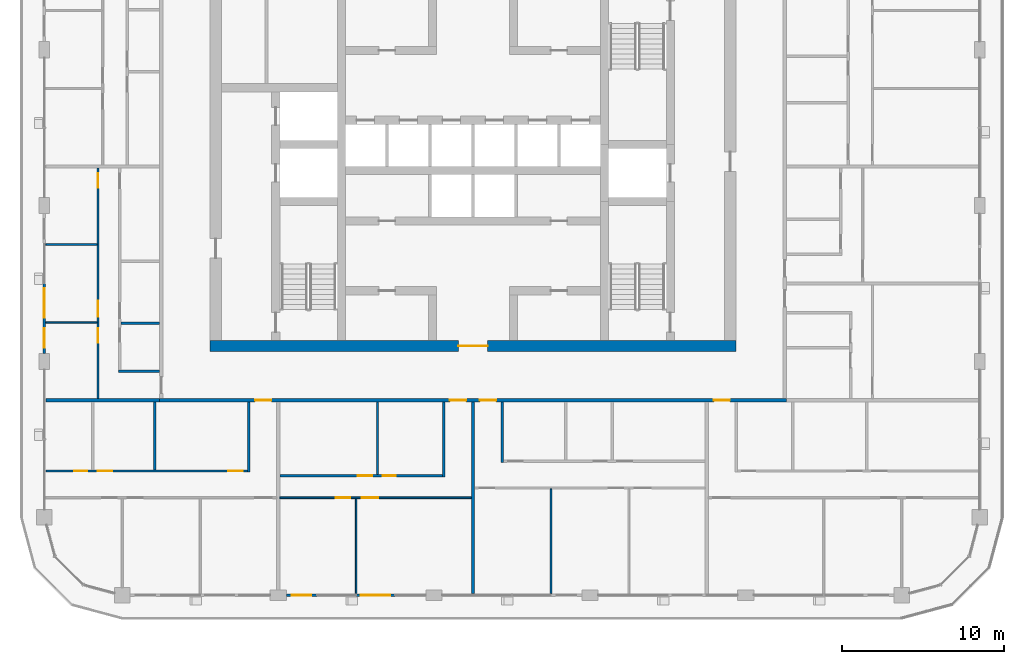
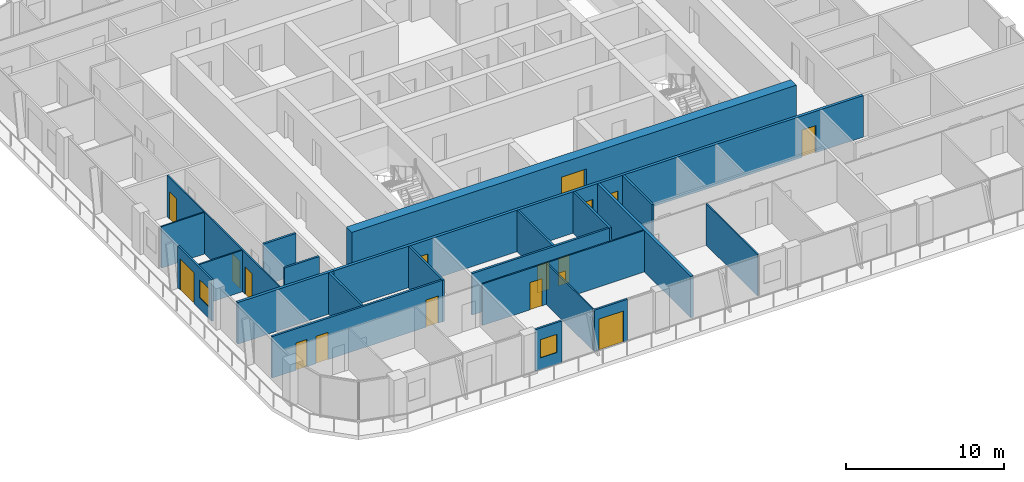
# One storey, part 9 of 21: 22 walls, 17 doors, 2 windows, 19 openings.
"""IFC4 building model written with IfcOpenShell, lengths in metres."""

from ifc_helpers import new_model, si_unit, direction, frame, frame_2d, origin, place, context, subcontext, project, spatial, rectangle, extrude, material, layer, layer_set, type_object, element, fill, save


model = new_model("IFC4")

# Units and contexts
model_context = context("Model", 3, precision=1e-05, world=origin(), true_north=direction((0.0, 1.0)))
body_context = subcontext(model_context, "Body", "Model", "MODEL_VIEW")
ifc_project = project(units=[si_unit("LENGTHUNIT", "METRE"), si_unit("AREAUNIT", "SQUARE_METRE"), si_unit("VOLUMEUNIT", "CUBIC_METRE"), si_unit("PLANEANGLEUNIT", "RADIAN"), si_unit("MASSUNIT", "GRAM", prefix="KILO")], contexts=[model_context])

# Site, building, storey
site_placement = place(None, origin())
site = spatial("IfcSite", under=ifc_project, at=site_placement, CompositionType="ELEMENT")
building_placement = place(site_placement, origin())
building = spatial("IfcBuilding", under=site, at=building_placement, Name="Madar Terraces", CompositionType="ELEMENT")
storey_placement = place(building_placement, frame((0.0, 0.0, 196.39990234375)))
storey = spatial("IfcBuildingStorey", under=building, at=storey_placement, Name="L51", CompositionType="ELEMENT", Elevation=196.39990234375)

# Wall, opening, door
ifc_material_1 = material(Name="Concrete C60/75", Category="concrete")
ifc_layer_1 = layer(ifc_material_1, 0.699951171875)
ifc_layer_set_1 = layer_set([ifc_layer_1], Name="Concrete C60/75 (CRW4 RC wall 700)")
wall_type_1 = type_object("IfcWallType", Name="CRW4 RC wall 700", PredefinedType="SHEAR", material=ifc_layer_set_1)
wall_1_placement = place(storey_placement, frame((15.0, 15.35009765625, 0.0), z_axis=(0.0, 0.0, 1.0), x_axis=(1.0, 0.0, 0.0)))
wall_1 = element("IfcWall", 1, at=wall_1_placement, inside=storey, type_object=wall_type_1, Name="CORE OUTER WALL", PredefinedType="SHEAR", context=body_context, shape_type="SweptSolid", body=[
    extrude(rectangle(XDim=32.39990234375, YDim=0.699951171875, at=frame_2d((16.199951171875, 0.0))), origin(), (0.0, 0.0, 1.0), 3.2001953125),
])
opening_1_placement = place(wall_1_placement, frame((15.300048828125, 0.0, 0.0)))
opening_1 = element("IfcOpeningElement", 2, at=opening_1_placement, cuts=wall_1, Name="Opening KD1", PredefinedType="OPENING", context=body_context, shape_type="SweptSolid", body=[
    extrude(rectangle(XDim=1.800048828125, YDim=2.10009765625, at=frame_2d((0.89990234375, 1.050048828125))), frame((0.0, 0.35986328125, 0.0), z_axis=(0.0, -1.0, 0.0), x_axis=(1.0, 0.0, 0.0)), (0.0, 0.0, 1.0), 0.719970703125),
])
ifc_material_2 = material(Name="Steel door leaf", Category="steel")
door_type_1 = type_object("IfcDoorType", Name="Lobby door pair 1800 x 2100", OperationType="DOUBLE_DOOR_SINGLE_SWING", PredefinedType="DOOR", material=ifc_material_2)
door_1_placement = place(opening_1_placement, frame((1.800048828125, 0.0, 0.0), z_axis=(0.0, 0.0, 1.0), x_axis=(-1.0, 0.0, 0.0)))
door_1 = element("IfcDoor", 3, at=door_1_placement, inside=storey, type_object=door_type_1, Name="LIFT LOBBY DOOR", OperationType="DOUBLE_DOOR_SINGLE_SWING", OverallHeight=2.10009765625, OverallWidth=1.800048828125, PredefinedType="DOOR", context=body_context, shape_type="SweptSolid", body=[
    extrude(rectangle(XDim=1.800048828125, YDim=2.10009765625, at=frame_2d((0.89990234375, 1.050048828125))), frame((0.0, 0.02490234375, 0.0), z_axis=(0.0, -1.0, 0.0), x_axis=(1.0, 0.0, 0.0)), (0.0, 0.0, 1.0), 0.050048828125),
])
fill(opening_1, door_1)

# Wall, opening, window
ifc_material_3 = material(Name="Aluminium composite panel, black, over insulated backing", Category="aluminium")
ifc_layer_2 = layer(ifc_material_3, 0.14990234375)
ifc_layer_set_2 = layer_set([ifc_layer_2], Name="Facade bay panel 150")
wall_type_2 = type_object("IfcWallType", Name="Facade bay panel 150", PredefinedType="SOLIDWALL", material=ifc_layer_set_2)
wall_2_placement = place(storey_placement, frame((19.699951171875, 0.0, 0.0), z_axis=(0.0, 0.0, 1.0), x_axis=(1.0, 0.0, 0.0)))
wall_2 = element("IfcWall", 4, at=wall_2_placement, inside=storey, type_object=wall_type_2, Name="Facade bay panel", PredefinedType="SOLIDWALL", context=body_context, shape_type="SweptSolid", body=[
    extrude(rectangle(XDim=1.900146484375, YDim=0.14990234375, at=frame_2d((0.9501953125, 0.0))), origin(), (0.0, 0.0, 1.0), 3.2001953125),
])
opening_2_placement = place(wall_2_placement, frame((0.35009765625, 0.0, 0.89990234375)))
opening_2 = element("IfcOpeningElement", 5, at=opening_2_placement, cuts=wall_2, Name="Opening W1", PredefinedType="OPENING", context=body_context, shape_type="SweptSolid", body=[
    extrude(rectangle(XDim=1.199951171875, YDim=1.39990234375, at=frame_2d((0.60009765625, 0.699951171875))), frame((0.0, 0.0849609375, 0.0), z_axis=(0.0, -1.0, 0.0), x_axis=(1.0, 0.0, 0.0)), (0.0, 0.0, 1.0), 0.169921875),
])
ifc_material_4 = material(Name="Glass, clear, with black aluminium frame", Category="aluminium")
window_type = type_object("IfcWindowType", Name="Vent window 1200 x 1400", PartitioningType="SINGLE_PANEL", PredefinedType="WINDOW", material=ifc_material_4)
window_1_placement = place(opening_2_placement, origin())
window_1 = element("IfcWindow", 6, at=window_1_placement, inside=storey, type_object=window_type, Name="Operable vent window", OverallHeight=1.39990234375, OverallWidth=1.199951171875, PartitioningType="SINGLE_PANEL", PredefinedType="WINDOW", context=body_context, shape_type="SweptSolid", body=[
    extrude(rectangle(XDim=1.199951171875, YDim=1.39990234375, at=frame_2d((0.60009765625, 0.699951171875))), frame((0.0, 0.030029296875, 0.0), z_axis=(0.0, -1.0, 0.0), x_axis=(1.0, 0.0, 0.0)), (0.0, 0.0, 1.0), 0.06005859375),
])
fill(opening_2, window_1)

# Wall, opening, door
wall_3_placement = place(storey_placement, frame((24.0, 0.0, 0.0), z_axis=(0.0, 0.0, 1.0), x_axis=(1.0, 0.0, 0.0)))
wall_3 = element("IfcWall", 7, at=wall_3_placement, inside=storey, type_object=wall_type_2, Name="Facade bay panel", PredefinedType="SOLIDWALL", context=body_context, shape_type="SweptSolid", body=[
    extrude(rectangle(XDim=2.39990234375, YDim=0.14990234375, at=frame_2d((1.199951171875, 0.0))), origin(), (0.0, 0.0, 1.0), 3.2001953125),
])
opening_3_placement = place(wall_3_placement, frame((0.300048828125, 0.0, 0.0)))
opening_3 = element("IfcOpeningElement", 8, at=opening_3_placement, cuts=wall_3, Name="Opening ED1", PredefinedType="OPENING", context=body_context, shape_type="SweptSolid", body=[
    extrude(rectangle(XDim=1.800048828125, YDim=2.39990234375, at=frame_2d((0.89990234375, 1.199951171875))), frame((0.0, 0.0849609375, 0.0), z_axis=(0.0, -1.0, 0.0), x_axis=(1.0, 0.0, 0.0)), (0.0, 0.0, 1.0), 0.169921875),
])
ifc_material_5 = material(Name="Glass, clear, with black aluminium frame", Category="aluminium")
door_type_2 = type_object("IfcDoorType", Name="Balcony and terrace sliding door 1800 x 2400", OperationType="SLIDING_TO_LEFT", PredefinedType="DOOR", material=ifc_material_5)
door_2_placement = place(opening_3_placement, origin())
door_2 = element("IfcDoor", 9, at=door_2_placement, inside=storey, type_object=door_type_2, Name="Balcony door", OperationType="SLIDING_TO_RIGHT", OverallHeight=2.39990234375, OverallWidth=1.800048828125, PredefinedType="DOOR", context=body_context, shape_type="SweptSolid", body=[
    extrude(rectangle(XDim=1.800048828125, YDim=2.39990234375, at=frame_2d((0.89990234375, 1.199951171875))), frame((0.0, 0.02490234375, 0.0), z_axis=(0.0, -1.0, 0.0), x_axis=(1.0, 0.0, 0.0)), (0.0, 0.0, 1.0), 0.050048828125),
])
fill(opening_3, door_2)

# Wall, openings, door, window
wall_4_placement = place(storey_placement, frame((4.800048828125, 19.199951171875, 0.0), z_axis=(0.0, 0.0, 1.0), x_axis=(0.0, -1.0, 0.0)))
wall_4 = element("IfcWall", 10, at=wall_4_placement, inside=storey, type_object=wall_type_2, Name="Facade bay panel", PredefinedType="SOLIDWALL", context=body_context, shape_type="SweptSolid", body=[
    extrude(rectangle(XDim=4.300048828125, YDim=0.14990234375, at=frame_2d((2.14990234375, 0.0))), origin(), (0.0, 0.0, 1.0), 3.2001953125),
])
opening_4_placement = place(wall_4_placement, frame((0.300048828125, 0.0, 0.0)))
opening_4 = element("IfcOpeningElement", 11, at=opening_4_placement, cuts=wall_4, Name="Opening ED1", PredefinedType="OPENING", context=body_context, shape_type="SweptSolid", body=[
    extrude(rectangle(XDim=1.800048828125, YDim=2.39990234375, at=frame_2d((0.89990234375, 1.199951171875))), frame((0.0, 0.0849609375, 0.0), z_axis=(0.0, -1.0, 0.0), x_axis=(1.0, 0.0, 0.0)), (0.0, 0.0, 1.0), 0.169921875),
])
opening_5_placement = place(wall_4_placement, frame((2.75, 0.0, 0.89990234375)))
opening_5 = element("IfcOpeningElement", 12, at=opening_5_placement, cuts=wall_4, Name="Opening W1", PredefinedType="OPENING", context=body_context, shape_type="SweptSolid", body=[
    extrude(rectangle(XDim=1.199951171875, YDim=1.39990234375, at=frame_2d((0.60009765625, 0.699951171875))), frame((0.0, 0.0849609375, 0.0), z_axis=(0.0, -1.0, 0.0), x_axis=(1.0, 0.0, 0.0)), (0.0, 0.0, 1.0), 0.169921875),
])
door_3_placement = place(opening_4_placement, origin())
door_3 = element("IfcDoor", 13, at=door_3_placement, inside=storey, type_object=door_type_2, Name="Balcony door", OperationType="SLIDING_TO_LEFT", OverallHeight=2.39990234375, OverallWidth=1.800048828125, PredefinedType="DOOR", context=body_context, shape_type="SweptSolid", body=[
    extrude(rectangle(XDim=1.800048828125, YDim=2.39990234375, at=frame_2d((0.89990234375, 1.199951171875))), frame((0.0, 0.02490234375, 0.0), z_axis=(0.0, -1.0, 0.0), x_axis=(1.0, 0.0, 0.0)), (0.0, 0.0, 1.0), 0.050048828125),
])
fill(opening_4, door_3)
window_2_placement = place(opening_5_placement, origin())
window_2 = element("IfcWindow", 14, at=window_2_placement, inside=storey, type_object=window_type, Name="Operable vent window", OverallHeight=1.39990234375, OverallWidth=1.199951171875, PartitioningType="SINGLE_PANEL", PredefinedType="WINDOW", context=body_context, shape_type="SweptSolid", body=[
    extrude(rectangle(XDim=1.199951171875, YDim=1.39990234375, at=frame_2d((0.60009765625, 0.699951171875))), frame((0.0, 0.030029296875, 0.0), z_axis=(0.0, -1.0, 0.0), x_axis=(1.0, 0.0, 0.0)), (0.0, 0.0, 1.0), 0.06005859375),
])
fill(opening_5, window_2)

# Wall
ifc_material_6 = material(Name="Gypsum board on steel studs", Category="steel")
ifc_layer_3 = layer(ifc_material_6, 0.10009765625)
ifc_layer_set_3 = layer_set([ifc_layer_3], Name="Flat partition 100")
wall_type_3 = type_object("IfcWallType", Name="Flat partition 100", PredefinedType="PARTITIONING", material=ifc_layer_set_3)
wall_5_placement = place(storey_placement, frame((24.0, 5.949951171875, 0.0), z_axis=(0.0, 0.0, 1.0), x_axis=(0.0, -1.0, 0.0)))
element("IfcWall", 15, at=wall_5_placement, inside=storey, type_object=wall_type_3, Name="Flat partition 100", PredefinedType="PARTITIONING", context=body_context, shape_type="SweptSolid", body=[
    extrude(rectangle(XDim=5.849853515625, YDim=0.10009765625, at=frame_2d((2.9248046875, 0.0))), origin(), (0.0, 0.0, 1.0), 3.2001953125),
])

# Wall, openings, doors
wall_6_placement = place(storey_placement, frame((31.10009765625, 6.0, 0.0), z_axis=(0.0, 0.0, 1.0), x_axis=(-1.0, 0.0, 0.0)))
wall_6 = element("IfcWall", 16, at=wall_6_placement, inside=storey, type_object=wall_type_3, Name="Flat partition 100", PredefinedType="PARTITIONING", context=body_context, shape_type="SweptSolid", body=[
    extrude(rectangle(XDim=11.800048828125, YDim=0.10009765625, at=frame_2d((5.89990234375, 0.0))), origin(), (0.0, 0.0, 1.0), 3.2001953125),
])
opening_6_placement = place(wall_6_placement, frame((5.75, 0.0, 0.0)))
opening_6 = element("IfcOpeningElement", 17, at=opening_6_placement, cuts=wall_6, Name="Opening D3", PredefinedType="OPENING", context=body_context, shape_type="SweptSolid", body=[
    extrude(rectangle(XDim=1.0, YDim=2.10009765625, at=frame_2d((0.5, 1.050048828125))), frame((0.0, 0.06005859375, 0.0), z_axis=(0.0, -1.0, 0.0), x_axis=(1.0, 0.0, 0.0)), (0.0, 0.0, 1.0), 0.1201171875),
])
opening_7_placement = place(wall_6_placement, frame((7.449951171875, 0.0, 0.0)))
opening_7 = element("IfcOpeningElement", 18, at=opening_7_placement, cuts=wall_6, Name="Opening D2", PredefinedType="OPENING", context=body_context, shape_type="SweptSolid", body=[
    extrude(rectangle(XDim=0.89990234375, YDim=2.10009765625, at=frame_2d((0.449951171875, 1.050048828125))), frame((0.0, 0.06005859375, 0.0), z_axis=(0.0, -1.0, 0.0), x_axis=(1.0, 0.0, 0.0)), (0.0, 0.0, 1.0), 0.1201171875),
])
ifc_material_7 = material(Name="Timber door leaf", Category="wood")
door_type_3 = type_object("IfcDoorType", Name="Flat living room door 1000", OperationType="NOTDEFINED", PredefinedType="DOOR", material=ifc_material_7)
door_4_placement = place(opening_6_placement, origin())
door_4 = element("IfcDoor", 19, at=door_4_placement, inside=storey, type_object=door_type_3, Name="Flat living room door 1000", OperationType="SINGLE_SWING_RIGHT", OverallHeight=2.10009765625, OverallWidth=1.0, PredefinedType="DOOR", context=body_context, shape_type="SweptSolid", body=[
    extrude(rectangle(XDim=1.0, YDim=2.10009765625, at=frame_2d((0.5, 1.050048828125))), frame((0.0, 0.02490234375, 0.0), z_axis=(0.0, -1.0, 0.0), x_axis=(1.0, 0.0, 0.0)), (0.0, 0.0, 1.0), 0.050048828125),
])
fill(opening_6, door_4)
ifc_material_8 = material(Name="Timber door leaf", Category="wood")
door_type_4 = type_object("IfcDoorType", Name="Flat room door 900", OperationType="NOTDEFINED", PredefinedType="DOOR", material=ifc_material_8)
door_5_placement = place(opening_7_placement, origin())
door_5 = element("IfcDoor", 20, at=door_5_placement, inside=storey, type_object=door_type_4, Name="Flat room door 900", OperationType="SINGLE_SWING_LEFT", OverallHeight=2.10009765625, OverallWidth=0.89990234375, PredefinedType="DOOR", context=body_context, shape_type="SweptSolid", body=[
    extrude(rectangle(XDim=0.89990234375, YDim=2.10009765625, at=frame_2d((0.449951171875, 1.050048828125))), frame((0.0, 0.02490234375, 0.0), z_axis=(0.0, -1.0, 0.0), x_axis=(1.0, 0.0, 0.0)), (0.0, 0.0, 1.0), 0.050048828125),
])
fill(opening_7, door_5)

# Walls
wall_7_placement = place(storey_placement, frame((36.0, 6.550048828125, 0.0), z_axis=(0.0, 0.0, 1.0), x_axis=(0.0, -1.0, 0.0)))
element("IfcWall", 21, at=wall_7_placement, inside=storey, type_object=wall_type_3, Name="Flat partition 100", PredefinedType="PARTITIONING", context=body_context, shape_type="SweptSolid", body=[
    extrude(rectangle(XDim=6.449951171875, YDim=0.10009765625, at=frame_2d((3.22509765625, 0.0))), origin(), (0.0, 0.0, 1.0), 3.2001953125),
])
for number, where, z_axis, x_axis, name in (
    (22, (8.050048828125, 16.800048828125, 0.0), (0.0, 0.0, 1.0), (-1.0, 0.0, 0.0), "Flat partition 100"),
    (23, (8.050048828125, 21.60009765625, 0.0), (0.0, 0.0, 1.0), (-1.0, 0.0, 0.0), "Flat partition 100"),
):
    element("IfcWall", number, at=place(storey_placement, frame(where, z_axis=z_axis, x_axis=x_axis)), inside=storey, type_object=wall_type_3, Name=name, PredefinedType="PARTITIONING", context=body_context, shape_type="SweptSolid", body=[
        extrude(rectangle(XDim=3.150146484375, YDim=0.10009765625, at=frame_2d((1.5751953125, 0.0))), origin(), (0.0, 0.0, 1.0), 3.2001953125),
    ])

# Wall, openings, doors
wall_8_placement = place(storey_placement, frame((8.10009765625, 12.10009765625, 0.0), z_axis=(0.0, 0.0, 1.0), x_axis=(0.0, 1.0, 0.0)))
wall_8 = element("IfcWall", 24, at=wall_8_placement, inside=storey, type_object=wall_type_3, Name="Flat partition 100", PredefinedType="PARTITIONING", context=body_context, shape_type="SweptSolid", body=[
    extrude(rectangle(XDim=14.199951171875, YDim=0.10009765625, at=frame_2d((7.10009765625, 0.0))), origin(), (0.0, 0.0, 1.0), 3.2001953125),
])
opening_8_placement = place(wall_8_placement, frame((3.449951171875, 0.0, 0.0)))
opening_8 = element("IfcOpeningElement", 25, at=opening_8_placement, cuts=wall_8, Name="Opening D2", PredefinedType="OPENING", context=body_context, shape_type="SweptSolid", body=[
    extrude(rectangle(XDim=0.89990234375, YDim=2.10009765625, at=frame_2d((0.449951171875, 1.050048828125))), frame((0.0, 0.06005859375, 0.0), z_axis=(0.0, -1.0, 0.0), x_axis=(1.0, 0.0, 0.0)), (0.0, 0.0, 1.0), 0.1201171875),
])
opening_9_placement = place(wall_8_placement, frame((5.050048828125, 0.0, 0.0)))
opening_9 = element("IfcOpeningElement", 26, at=opening_9_placement, cuts=wall_8, Name="Opening D3", PredefinedType="OPENING", context=body_context, shape_type="SweptSolid", body=[
    extrude(rectangle(XDim=1.0, YDim=2.10009765625, at=frame_2d((0.5, 1.050048828125))), frame((0.0, 0.06005859375, 0.0), z_axis=(0.0, -1.0, 0.0), x_axis=(1.0, 0.0, 0.0)), (0.0, 0.0, 1.0), 0.1201171875),
])
opening_10_placement = place(wall_8_placement, frame((13.0, 0.0, 0.0)))
opening_10 = element("IfcOpeningElement", 27, at=opening_10_placement, cuts=wall_8, Name="Opening D2", PredefinedType="OPENING", context=body_context, shape_type="SweptSolid", body=[
    extrude(rectangle(XDim=0.89990234375, YDim=2.10009765625, at=frame_2d((0.449951171875, 1.050048828125))), frame((0.0, 0.06005859375, 0.0), z_axis=(0.0, -1.0, 0.0), x_axis=(1.0, 0.0, 0.0)), (0.0, 0.0, 1.0), 0.1201171875),
])
door_6_placement = place(opening_9_placement, origin())
door_6 = element("IfcDoor", 28, at=door_6_placement, inside=storey, type_object=door_type_3, Name="Flat living room door 1000", OperationType="SINGLE_SWING_LEFT", OverallHeight=2.10009765625, OverallWidth=1.0, PredefinedType="DOOR", context=body_context, shape_type="SweptSolid", body=[
    extrude(rectangle(XDim=1.0, YDim=2.10009765625, at=frame_2d((0.5, 1.050048828125))), frame((0.0, 0.02490234375, 0.0), z_axis=(0.0, -1.0, 0.0), x_axis=(1.0, 0.0, 0.0)), (0.0, 0.0, 1.0), 0.050048828125),
])
fill(opening_9, door_6)
door_7_placement = place(opening_8_placement, origin())
door_7 = element("IfcDoor", 29, at=door_7_placement, inside=storey, type_object=door_type_4, Name="Flat room door 900", OperationType="SINGLE_SWING_RIGHT", OverallHeight=2.10009765625, OverallWidth=0.89990234375, PredefinedType="DOOR", context=body_context, shape_type="SweptSolid", body=[
    extrude(rectangle(XDim=0.89990234375, YDim=2.10009765625, at=frame_2d((0.449951171875, 1.050048828125))), frame((0.0, 0.02490234375, 0.0), z_axis=(0.0, -1.0, 0.0), x_axis=(1.0, 0.0, 0.0)), (0.0, 0.0, 1.0), 0.050048828125),
])
fill(opening_8, door_7)
door_8_placement = place(opening_10_placement, origin())
door_8 = element("IfcDoor", 30, at=door_8_placement, inside=storey, type_object=door_type_4, Name="Flat room door 900", OperationType="SINGLE_SWING_RIGHT", OverallHeight=2.10009765625, OverallWidth=0.89990234375, PredefinedType="DOOR", context=body_context, shape_type="SweptSolid", body=[
    extrude(rectangle(XDim=0.89990234375, YDim=2.10009765625, at=frame_2d((0.449951171875, 1.050048828125))), frame((0.0, 0.02490234375, 0.0), z_axis=(0.0, -1.0, 0.0), x_axis=(1.0, 0.0, 0.0)), (0.0, 0.0, 1.0), 0.050048828125),
])
fill(opening_10, door_8)

ifc_material_9 = material(Name="Lightweight blockwork", Category="masonry")
ifc_layer_4 = layer(ifc_material_9, 0.199951171875)
ifc_layer_set_4 = layer_set([ifc_layer_4], Name="Flat party and entrance wall 200")
wall_type_4 = type_object("IfcWallType", Name="Flat party and entrance wall 200", PredefinedType="PARTITIONING", material=ifc_layer_set_4)
wall_9_placement = place(storey_placement, frame((50.5, 12.0, 0.0), z_axis=(0.0, 0.0, 1.0), x_axis=(-1.0, 0.0, 0.0)))
wall_9 = element("IfcWall", 31, at=wall_9_placement, inside=storey, type_object=wall_type_4, Name="Flat party and entrance wall 200", PredefinedType="PARTITIONING", context=body_context, shape_type="SweptSolid", body=[
    extrude(rectangle(XDim=38.60009765625, YDim=0.199951171875, at=frame_2d((19.300048828125, 0.0))), origin(), (0.0, 0.0, 1.0), 3.2001953125),
])
opening_11_placement = place(wall_9_placement, frame((31.72509765625, 0.0, 0.0)))
opening_11 = element("IfcOpeningElement", 32, at=opening_11_placement, cuts=wall_9, Name="Opening D1", PredefinedType="OPENING", context=body_context, shape_type="SweptSolid", body=[
    extrude(rectangle(XDim=1.0, YDim=2.10009765625, at=frame_2d((0.5, 1.050048828125))), frame((0.0, 0.10986328125, 0.0), z_axis=(0.0, -1.0, 0.0), x_axis=(1.0, 0.0, 0.0)), (0.0, 0.0, 1.0), 0.219970703125),
])
opening_12_placement = place(wall_9_placement, frame((19.72509765625, 0.0, 0.0)))
opening_12 = element("IfcOpeningElement", 33, at=opening_12_placement, cuts=wall_9, Name="Opening D1", PredefinedType="OPENING", context=body_context, shape_type="SweptSolid", body=[
    extrude(rectangle(XDim=1.0, YDim=2.10009765625, at=frame_2d((0.5, 1.050048828125))), frame((0.0, 0.10986328125, 0.0), z_axis=(0.0, -1.0, 0.0), x_axis=(1.0, 0.0, 0.0)), (0.0, 0.0, 1.0), 0.219970703125),
])
opening_13_placement = place(wall_9_placement, frame((17.875, 0.0, 0.0)))
opening_13 = element("IfcOpeningElement", 34, at=opening_13_placement, cuts=wall_9, Name="Opening D1", PredefinedType="OPENING", context=body_context, shape_type="SweptSolid", body=[
    extrude(rectangle(XDim=1.0, YDim=2.10009765625, at=frame_2d((0.5, 1.050048828125))), frame((0.0, 0.10986328125, 0.0), z_axis=(0.0, -1.0, 0.0), x_axis=(1.0, 0.0, 0.0)), (0.0, 0.0, 1.0), 0.219970703125),
])
opening_14_placement = place(wall_9_placement, frame((3.47509765625, 0.0, 0.0)))
opening_14 = element("IfcOpeningElement", 35, at=opening_14_placement, cuts=wall_9, Name="Opening D1", PredefinedType="OPENING", context=body_context, shape_type="SweptSolid", body=[
    extrude(rectangle(XDim=1.0, YDim=2.10009765625, at=frame_2d((0.5, 1.050048828125))), frame((0.0, 0.10986328125, 0.0), z_axis=(0.0, -1.0, 0.0), x_axis=(1.0, 0.0, 0.0)), (0.0, 0.0, 1.0), 0.219970703125),
])
ifc_material_10 = material(Name="Timber fire door leaf", Category="wood")
door_type_5 = type_object("IfcDoorType", Name="Flat entrance door 1000 FD30S", OperationType="NOTDEFINED", PredefinedType="DOOR", material=ifc_material_10)
door_9_placement = place(opening_11_placement, origin())
door_9 = element("IfcDoor", 36, at=door_9_placement, inside=storey, type_object=door_type_5, Name="Flat entrance door 1000 FD30S", OperationType="SINGLE_SWING_LEFT", OverallHeight=2.10009765625, OverallWidth=1.0, PredefinedType="DOOR", context=body_context, shape_type="SweptSolid", body=[
    extrude(rectangle(XDim=1.0, YDim=2.10009765625, at=frame_2d((0.5, 1.050048828125))), frame((0.0, 0.02490234375, 0.0), z_axis=(0.0, -1.0, 0.0), x_axis=(1.0, 0.0, 0.0)), (0.0, 0.0, 1.0), 0.050048828125),
])
fill(opening_11, door_9)
door_10_placement = place(opening_12_placement, origin())
door_10 = element("IfcDoor", 37, at=door_10_placement, inside=storey, type_object=door_type_5, Name="Flat entrance door 1000 FD30S", OperationType="SINGLE_SWING_LEFT", OverallHeight=2.10009765625, OverallWidth=1.0, PredefinedType="DOOR", context=body_context, shape_type="SweptSolid", body=[
    extrude(rectangle(XDim=1.0, YDim=2.10009765625, at=frame_2d((0.5, 1.050048828125))), frame((0.0, 0.02490234375, 0.0), z_axis=(0.0, -1.0, 0.0), x_axis=(1.0, 0.0, 0.0)), (0.0, 0.0, 1.0), 0.050048828125),
])
fill(opening_12, door_10)
door_11_placement = place(opening_13_placement, origin())
door_11 = element("IfcDoor", 38, at=door_11_placement, inside=storey, type_object=door_type_5, Name="Flat entrance door 1000 FD30S", OperationType="SINGLE_SWING_RIGHT", OverallHeight=2.10009765625, OverallWidth=1.0, PredefinedType="DOOR", context=body_context, shape_type="SweptSolid", body=[
    extrude(rectangle(XDim=1.0, YDim=2.10009765625, at=frame_2d((0.5, 1.050048828125))), frame((0.0, 0.02490234375, 0.0), z_axis=(0.0, -1.0, 0.0), x_axis=(1.0, 0.0, 0.0)), (0.0, 0.0, 1.0), 0.050048828125),
])
fill(opening_13, door_11)
door_12_placement = place(opening_14_placement, origin())
door_12 = element("IfcDoor", 39, at=door_12_placement, inside=storey, type_object=door_type_5, Name="Flat entrance door 1000 FD30S", OperationType="SINGLE_SWING_RIGHT", OverallHeight=2.10009765625, OverallWidth=1.0, PredefinedType="DOOR", context=body_context, shape_type="SweptSolid", body=[
    extrude(rectangle(XDim=1.0, YDim=2.10009765625, at=frame_2d((0.5, 1.050048828125))), frame((0.0, 0.02490234375, 0.0), z_axis=(0.0, -1.0, 0.0), x_axis=(1.0, 0.0, 0.0)), (0.0, 0.0, 1.0), 0.050048828125),
])
fill(opening_14, door_12)

# Walls
wall_10_placement = place(storey_placement, frame((4.89990234375, 12.0, 0.0), z_axis=(0.0, 0.0, 1.0), x_axis=(1.0, 0.0, 0.0)))
element("IfcWall", 40, at=wall_10_placement, inside=storey, type_object=wall_type_4, Name="Flat party and entrance wall 200", PredefinedType="PARTITIONING", context=body_context, shape_type="SweptSolid", body=[
    extrude(rectangle(XDim=7.0, YDim=0.199951171875, at=frame_2d((3.5, 0.0))), origin(), (0.0, 0.0, 1.0), 3.2001953125),
])
wall_11_placement = place(storey_placement, frame((31.199951171875, 11.89990234375, 0.0), z_axis=(0.0, 0.0, 1.0), x_axis=(0.0, -1.0, 0.0)))
element("IfcWall", 41, at=wall_11_placement, inside=storey, type_object=wall_type_4, Name="Flat party and entrance wall 200", PredefinedType="PARTITIONING", context=body_context, shape_type="SweptSolid", body=[
    extrude(rectangle(XDim=11.7998046875, YDim=0.199951171875, at=frame_2d((5.89990234375, 0.0))), origin(), (0.0, 0.0, 1.0), 3.2001953125),
])
ifc_material_11 = material(Name="Lightweight blockwork", Category="masonry")
ifc_layer_5 = layer(ifc_material_11, 0.14990234375)
ifc_layer_set_5 = layer_set([ifc_layer_5], Name="Flat wet-room partition 150")
wall_type_5 = type_object("IfcWallType", Name="Flat wet-room partition 150", PredefinedType="PARTITIONING", material=ifc_layer_set_5)
wall_12_placement = place(storey_placement, frame((11.59033203125, 11.89990234375, 0.0), z_axis=(0.0, 0.0, 1.0), x_axis=(0.0, -1.0, 0.0)))
element("IfcWall", 42, at=wall_12_placement, inside=storey, type_object=wall_type_5, Name="Flat wet-room partition 150", PredefinedType="PARTITIONING", context=body_context, shape_type="SweptSolid", body=[
    extrude(rectangle(XDim=4.1748046875, YDim=0.14990234375, at=frame_2d((2.08740234375, 0.0))), origin(), (0.0, 0.0, 1.0), 3.2001953125),
])
wall_13_placement = place(storey_placement, frame((17.39990234375, 11.89990234375, 0.0), z_axis=(0.0, 0.0, 1.0), x_axis=(0.0, -1.0, 0.0)))
element("IfcWall", 43, at=wall_13_placement, inside=storey, type_object=wall_type_5, Name="Flat wet-room partition 150", PredefinedType="PARTITIONING", context=body_context, shape_type="SweptSolid", body=[
    extrude(rectangle(XDim=4.324951171875, YDim=0.14990234375, at=frame_2d((2.16259765625, 0.0))), origin(), (0.0, 0.0, 1.0), 3.2001953125),
])

# Wall, openings, doors
wall_14_placement = place(storey_placement, frame((4.89990234375, 7.64990234375, 0.0), z_axis=(0.0, 0.0, 1.0), x_axis=(1.0, 0.0, 0.0)))
wall_14 = element("IfcWall", 44, at=wall_14_placement, inside=storey, type_object=wall_type_5, Name="Flat wet-room partition 150", PredefinedType="PARTITIONING", context=body_context, shape_type="SweptSolid", body=[
    extrude(rectangle(XDim=12.425048828125, YDim=0.14990234375, at=frame_2d((6.21240234375, 0.0))), origin(), (0.0, 0.0, 1.0), 3.2001953125),
])
opening_15_placement = place(wall_14_placement, frame((11.22509765625, 0.0, 0.0)))
opening_15 = element("IfcOpeningElement", 45, at=opening_15_placement, cuts=wall_14, Name="Opening D2", PredefinedType="OPENING", context=body_context, shape_type="SweptSolid", body=[
    extrude(rectangle(XDim=0.89990234375, YDim=2.10009765625, at=frame_2d((0.449951171875, 1.050048828125))), frame((0.0, 0.0849609375, 0.0), z_axis=(0.0, -1.0, 0.0), x_axis=(1.0, 0.0, 0.0)), (0.0, 0.0, 1.0), 0.169921875),
])
opening_16_placement = place(wall_14_placement, frame((3.1923828125, 0.0, 0.0)))
opening_16 = element("IfcOpeningElement", 46, at=opening_16_placement, cuts=wall_14, Name="Opening D5", PredefinedType="OPENING", context=body_context, shape_type="SweptSolid", body=[
    extrude(rectangle(XDim=0.89990234375, YDim=2.10009765625, at=frame_2d((0.449951171875, 1.050048828125))), frame((0.0, 0.0849609375, 0.0), z_axis=(0.0, -1.0, 0.0), x_axis=(1.0, 0.0, 0.0)), (0.0, 0.0, 1.0), 0.169921875),
])
opening_17_placement = place(wall_14_placement, frame((1.7421875, 0.0, 0.0)))
opening_17 = element("IfcOpeningElement", 47, at=opening_17_placement, cuts=wall_14, Name="Opening D4", PredefinedType="OPENING", context=body_context, shape_type="SweptSolid", body=[
    extrude(rectangle(XDim=0.800048828125, YDim=2.10009765625, at=frame_2d((0.39990234375, 1.050048828125))), frame((0.0, 0.0849609375, 0.0), z_axis=(0.0, -1.0, 0.0), x_axis=(1.0, 0.0, 0.0)), (0.0, 0.0, 1.0), 0.169921875),
])
ifc_material_12 = material(Name="Timber door leaf", Category="wood")
door_type_6 = type_object("IfcDoorType", Name="Flat accessible bathroom door 900", OperationType="NOTDEFINED", PredefinedType="DOOR", material=ifc_material_12)
door_13_placement = place(opening_16_placement, origin())
door_13 = element("IfcDoor", 48, at=door_13_placement, inside=storey, type_object=door_type_6, Name="Flat accessible bathroom door 900", OperationType="SINGLE_SWING_LEFT", OverallHeight=2.10009765625, OverallWidth=0.89990234375, PredefinedType="DOOR", context=body_context, shape_type="SweptSolid", body=[
    extrude(rectangle(XDim=0.89990234375, YDim=2.10009765625, at=frame_2d((0.449951171875, 1.050048828125))), frame((0.0, 0.02490234375, 0.0), z_axis=(0.0, -1.0, 0.0), x_axis=(1.0, 0.0, 0.0)), (0.0, 0.0, 1.0), 0.050048828125),
])
fill(opening_16, door_13)
ifc_material_13 = material(Name="Timber door leaf", Category="wood")
door_type_7 = type_object("IfcDoorType", Name="Flat bathroom door 800", OperationType="NOTDEFINED", PredefinedType="DOOR", material=ifc_material_13)
door_14_placement = place(opening_17_placement, origin())
door_14 = element("IfcDoor", 49, at=door_14_placement, inside=storey, type_object=door_type_7, Name="Flat bathroom door 800", OperationType="SINGLE_SWING_RIGHT", OverallHeight=2.10009765625, OverallWidth=0.800048828125, PredefinedType="DOOR", context=body_context, shape_type="SweptSolid", body=[
    extrude(rectangle(XDim=0.800048828125, YDim=2.10009765625, at=frame_2d((0.39990234375, 1.050048828125))), frame((0.0, 0.02490234375, 0.0), z_axis=(0.0, -1.0, 0.0), x_axis=(1.0, 0.0, 0.0)), (0.0, 0.0, 1.0), 0.050048828125),
])
fill(opening_17, door_14)
door_15_placement = place(opening_15_placement, origin())
door_15 = element("IfcDoor", 50, at=door_15_placement, inside=storey, type_object=door_type_4, Name="Flat room door 900", OperationType="SINGLE_SWING_RIGHT", OverallHeight=2.10009765625, OverallWidth=0.89990234375, PredefinedType="DOOR", context=body_context, shape_type="SweptSolid", body=[
    extrude(rectangle(XDim=0.89990234375, YDim=2.10009765625, at=frame_2d((0.449951171875, 1.050048828125))), frame((0.0, 0.02490234375, 0.0), z_axis=(0.0, -1.0, 0.0), x_axis=(1.0, 0.0, 0.0)), (0.0, 0.0, 1.0), 0.050048828125),
])
fill(opening_15, door_15)

# Walls
wall_15_placement = place(storey_placement, frame((25.31494140625, 11.89990234375, 0.0), z_axis=(0.0, 0.0, 1.0), x_axis=(0.0, -1.0, 0.0)))
element("IfcWall", 51, at=wall_15_placement, inside=storey, type_object=wall_type_5, Name="Flat wet-room partition 150", PredefinedType="PARTITIONING", context=body_context, shape_type="SweptSolid", body=[
    extrude(rectangle(XDim=4.474853515625, YDim=0.14990234375, at=frame_2d((2.2373046875, 0.0))), origin(), (0.0, 0.0, 1.0), 3.2001953125),
])
wall_16_placement = place(storey_placement, frame((29.39990234375, 11.89990234375, 0.0), z_axis=(0.0, 0.0, 1.0), x_axis=(0.0, -1.0, 0.0)))
element("IfcWall", 52, at=wall_16_placement, inside=storey, type_object=wall_type_5, Name="Flat wet-room partition 150", PredefinedType="PARTITIONING", context=body_context, shape_type="SweptSolid", body=[
    extrude(rectangle(XDim=4.625, YDim=0.14990234375, at=frame_2d((2.3125, 0.0))), origin(), (0.0, 0.0, 1.0), 3.2001953125),
])

# Wall, openings, doors
wall_17_placement = place(storey_placement, frame((19.300048828125, 7.35009765625, 0.0), z_axis=(0.0, 0.0, 1.0), x_axis=(1.0, 0.0, 0.0)))
wall_17 = element("IfcWall", 53, at=wall_17_placement, inside=storey, type_object=wall_type_5, Name="Flat wet-room partition 150", PredefinedType="PARTITIONING", context=body_context, shape_type="SweptSolid", body=[
    extrude(rectangle(XDim=10.02490234375, YDim=0.14990234375, at=frame_2d((5.012451171875, 0.0))), origin(), (0.0, 0.0, 1.0), 3.2001953125),
])
opening_18_placement = place(wall_17_placement, frame((6.340087890625, 0.0, 0.0)))
opening_18 = element("IfcOpeningElement", 54, at=opening_18_placement, cuts=wall_17, Name="Opening D4", PredefinedType="OPENING", context=body_context, shape_type="SweptSolid", body=[
    extrude(rectangle(XDim=0.800048828125, YDim=2.10009765625, at=frame_2d((0.39990234375, 1.050048828125))), frame((0.0, 0.0849609375, 0.0), z_axis=(0.0, -1.0, 0.0), x_axis=(1.0, 0.0, 0.0)), (0.0, 0.0, 1.0), 0.169921875),
])
opening_19_placement = place(wall_17_placement, frame((4.7900390625, 0.0, 0.0)))
opening_19 = element("IfcOpeningElement", 55, at=opening_19_placement, cuts=wall_17, Name="Opening D2", PredefinedType="OPENING", context=body_context, shape_type="SweptSolid", body=[
    extrude(rectangle(XDim=0.89990234375, YDim=2.10009765625, at=frame_2d((0.449951171875, 1.050048828125))), frame((0.0, 0.0849609375, 0.0), z_axis=(0.0, -1.0, 0.0), x_axis=(1.0, 0.0, 0.0)), (0.0, 0.0, 1.0), 0.169921875),
])
door_16_placement = place(opening_18_placement, origin())
door_16 = element("IfcDoor", 56, at=door_16_placement, inside=storey, type_object=door_type_7, Name="Flat bathroom door 800", OperationType="SINGLE_SWING_LEFT", OverallHeight=2.10009765625, OverallWidth=0.800048828125, PredefinedType="DOOR", context=body_context, shape_type="SweptSolid", body=[
    extrude(rectangle(XDim=0.800048828125, YDim=2.10009765625, at=frame_2d((0.39990234375, 1.050048828125))), frame((0.0, 0.02490234375, 0.0), z_axis=(0.0, -1.0, 0.0), x_axis=(1.0, 0.0, 0.0)), (0.0, 0.0, 1.0), 0.050048828125),
])
fill(opening_18, door_16)
door_17_placement = place(opening_19_placement, origin())
door_17 = element("IfcDoor", 57, at=door_17_placement, inside=storey, type_object=door_type_4, Name="Flat room door 900", OperationType="SINGLE_SWING_RIGHT", OverallHeight=2.10009765625, OverallWidth=0.89990234375, PredefinedType="DOOR", context=body_context, shape_type="SweptSolid", body=[
    extrude(rectangle(XDim=0.89990234375, YDim=2.10009765625, at=frame_2d((0.449951171875, 1.050048828125))), frame((0.0, 0.02490234375, 0.0), z_axis=(0.0, -1.0, 0.0), x_axis=(1.0, 0.0, 0.0)), (0.0, 0.0, 1.0), 0.050048828125),
])
fill(opening_19, door_17)

# Walls
wall_18_placement = place(storey_placement, frame((33.0, 11.89990234375, 0.0), z_axis=(0.0, 0.0, 1.0), x_axis=(0.0, -1.0, 0.0)))
element("IfcWall", 58, at=wall_18_placement, inside=storey, type_object=wall_type_5, Name="Flat wet-room partition 150", PredefinedType="PARTITIONING", context=body_context, shape_type="SweptSolid", body=[
    extrude(rectangle(XDim=3.724853515625, YDim=0.14990234375, at=frame_2d((1.8623046875, 0.0))), origin(), (0.0, 0.0, 1.0), 3.2001953125),
])
wall_19_placement = place(storey_placement, frame((11.89990234375, 16.7421875, 0.0), z_axis=(0.0, 0.0, 1.0), x_axis=(-1.0, 0.0, 0.0)))
element("IfcWall", 59, at=wall_19_placement, inside=storey, type_object=wall_type_5, Name="Flat wet-room partition 150", PredefinedType="PARTITIONING", context=body_context, shape_type="SweptSolid", body=[
    extrude(rectangle(XDim=2.375, YDim=0.14990234375, at=frame_2d((1.1875, 0.0))), origin(), (0.0, 0.0, 1.0), 3.2001953125),
])
wall_20_placement = place(storey_placement, frame((11.89990234375, 13.800048828125, 0.0), z_axis=(0.0, 0.0, 1.0), x_axis=(-1.0, 0.0, 0.0)))
element("IfcWall", 60, at=wall_20_placement, inside=storey, type_object=wall_type_5, Name="Flat wet-room partition 150", PredefinedType="PARTITIONING", context=body_context, shape_type="SweptSolid", body=[
    extrude(rectangle(XDim=2.52490234375, YDim=0.14990234375, at=frame_2d((1.262451171875, 0.0))), origin(), (0.0, 0.0, 1.0), 3.2001953125),
])

save(model, "model.ifc")
